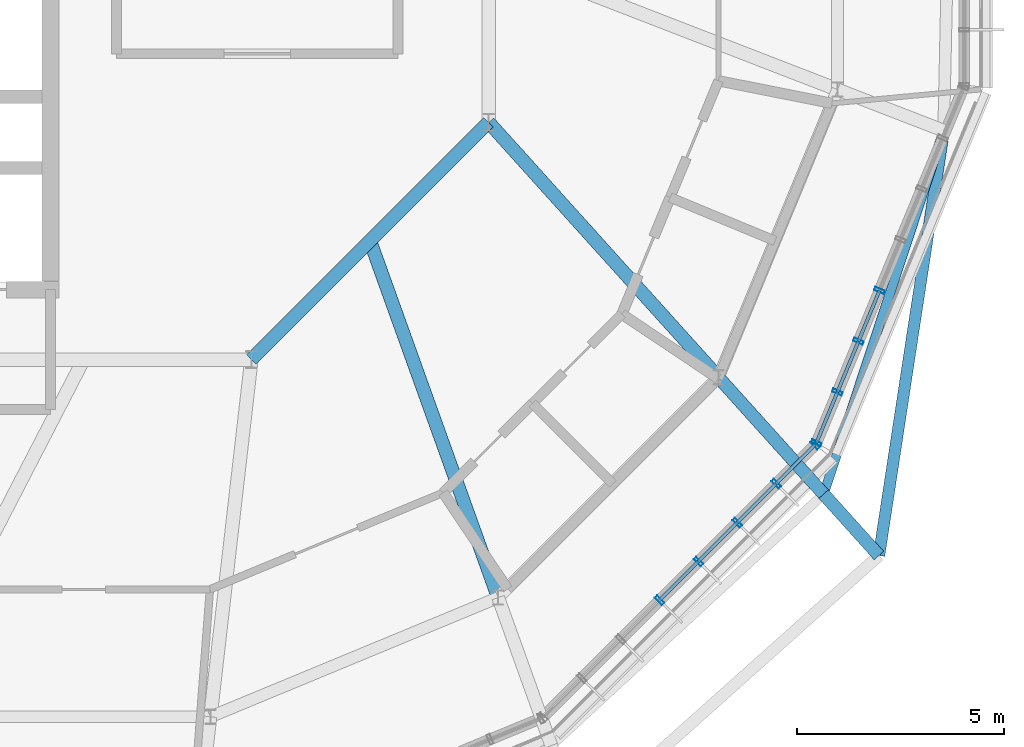
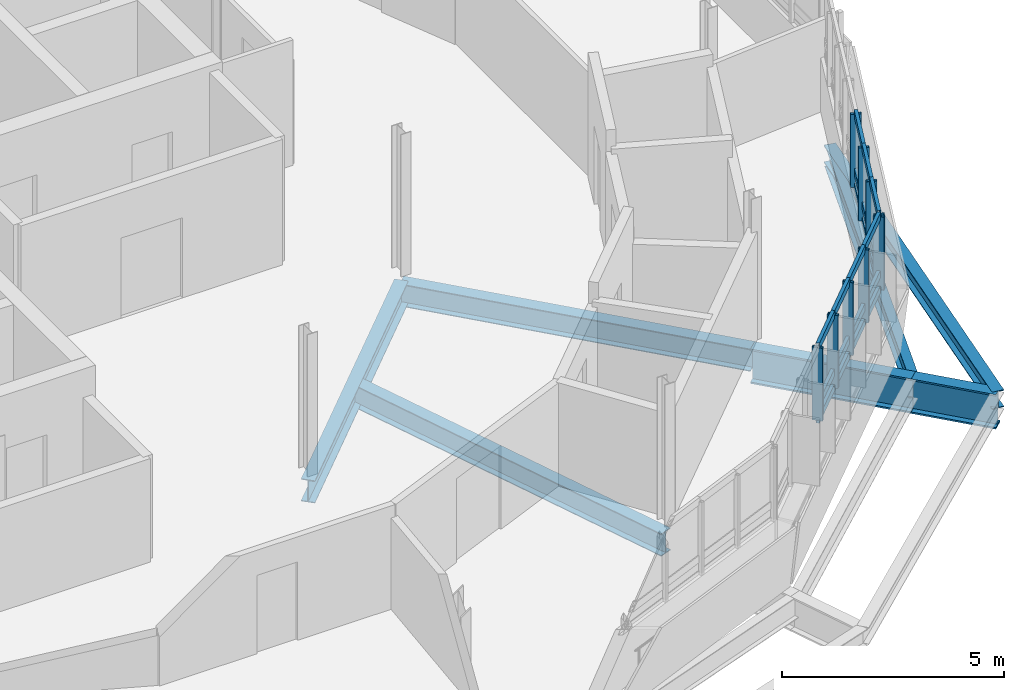
# One storey, part 13 of 31: 30 members, 7 beams, 2 elements without a shape of their own.
"""IFC4 building model written with IfcOpenShell, lengths in metres."""

import ifcopenshell
import ifcopenshell.guid

model = None  # the IFC model being written
_history = None  # IfcOwnerHistory: only IFC2X3 demands one
_inside = {}  # id of a spatial element -> (the spatial element, [elements in it])
_under = {}  # id of a project, library or spatial element -> (it, [spatial elements below it])
_declared = {}  # id of a project -> (the project, [libraries it declares])
_typed = {}  # id of a type object -> (the type object, [elements of that type])
_made_of = {}  # id of a material, layer set ... -> (it, [elements and type objects made of it])


def new_model(schema):
    """Start an empty IFC model of exactly this schema.

    Asked for "IFC4X3", IfcOpenShell would pick the latest addendum, in which some entities
    have other attributes; the version numbers below select the first issue.
    IFC2X3 requires an IfcOwnerHistory on every rooted entity: one is made here for all.
    """
    global model, _history
    if schema == "IFC4X3":
        model = ifcopenshell.file(schema_version=(4, 3, 0, 0))
    else:
        model = ifcopenshell.file(schema=schema)
    _inside.clear()
    _under.clear()
    _declared.clear()
    _typed.clear()
    _made_of.clear()
    _history = None
    if model.schema == "IFC2X3":
        org = make("IfcOrganization", Name="unknown")
        user = make(
            "IfcPersonAndOrganization",
            ThePerson=make("IfcPerson", FamilyName="unknown"),
            TheOrganization=org,
        )
        app = make(
            "IfcApplication",
            ApplicationDeveloper=org,
            Version="unknown",
            ApplicationFullName="unknown",
            ApplicationIdentifier="unknown",
        )
        _history = make(
            "IfcOwnerHistory",
            OwningUser=user,
            OwningApplication=app,
            ChangeAction="ADDED",
            CreationDate=0,
        )
    return model


def make(cls, **values):
    """One entity of the class cls with the attributes given. An attribute that is None is left unset."""
    return model.create_entity(
        cls, **{name: value for name, value in values.items() if value is not None}
    )


def rooted(cls, **values):
    """An entity with a GlobalId (a new one), such as an element, a storey or a relation."""
    return make(cls, GlobalId=ifcopenshell.guid.new(), OwnerHistory=_history, **values)


def si_unit(unit_type, name, prefix=None):
    """IfcSIUnit, for example si_unit("LENGTHUNIT", "METRE", prefix="MILLI")."""
    return make("IfcSIUnit", UnitType=unit_type, Prefix=prefix, Name=name)


def derived_unit(unit_type, elements):
    """IfcDerivedUnit: a product of units, each with its exponent."""
    return make(
        "IfcDerivedUnit",
        Elements=[
            make("IfcDerivedUnitElement", Unit=unit, Exponent=power)
            for unit, power in elements
        ],
        UnitType=unit_type,
    )


def assignment(units):
    """IfcUnitAssignment: the units of a project."""
    return None if units is None else make("IfcUnitAssignment", Units=units)


def point(xyz):
    """IfcCartesianPoint."""
    return None if xyz is None else make("IfcCartesianPoint", Coordinates=xyz)


def direction(xyz):
    """IfcDirection."""
    return None if xyz is None else make("IfcDirection", DirectionRatios=xyz)


def frame(location, z_axis=None, x_axis=None):
    """IfcAxis2Placement3D, a coordinate frame: its origin and axes. An axis left out is left unset."""
    return make(
        "IfcAxis2Placement3D",
        Location=point(location),
        Axis=direction(z_axis),
        RefDirection=direction(x_axis),
    )


def frame_2d(location, x_axis=None):
    """IfcAxis2Placement2D, a coordinate frame in the plane: its origin and x axis."""
    return make(
        "IfcAxis2Placement2D", Location=point(location), RefDirection=direction(x_axis)
    )


def origin():
    """The frame at (0, 0, 0) with its axes left unset."""
    return frame((0.0, 0.0, 0.0))


def origin_2d():
    """The frame at (0, 0) in the plane with its x axis left unset."""
    return frame_2d((0.0, 0.0))


def place(relative_to, where):
    """IfcLocalPlacement: puts the frame where relative to a parent placement (None: the world)."""
    return make(
        "IfcLocalPlacement", PlacementRelTo=relative_to, RelativePlacement=where
    )


def context(
    kind, dimensions, precision=None, world=None, true_north=None, identifier=None
):
    """IfcGeometricRepresentationContext, for example the 3D "Model" context."""
    return make(
        "IfcGeometricRepresentationContext",
        ContextIdentifier=identifier,
        ContextType=kind,
        CoordinateSpaceDimension=dimensions,
        Precision=precision,
        WorldCoordinateSystem=world,
        TrueNorth=true_north,
    )


def subcontext(parent, identifier, kind, view, scale=None):
    """IfcGeometricRepresentationSubContext, for example "Body" below "Model"."""
    return make(
        "IfcGeometricRepresentationSubContext",
        ContextIdentifier=identifier,
        ContextType=kind,
        ParentContext=parent,
        TargetScale=scale,
        TargetView=view,
    )


def project(units=None, contexts=None):
    """IfcProject with its units and contexts."""
    return rooted(
        "IfcProject",
        Name="project",
        RepresentationContexts=contexts,
        UnitsInContext=assignment(units),
    )


def spatial(cls, under=None, at=None, **own):
    """A site, building, storey or space (cls), placed at a placement, below another one or the project."""
    s = rooted(cls, ObjectPlacement=at, **own)
    if under is not None:
        _under.setdefault(under.id(), (under, []))[1].append(s)
    return s


def profile(cls, at=None, kind="AREA", **sizes):
    """A parametric profile (cls). Its sizes go by their IFC names, for example OverallWidth=200.0."""
    return make(cls, ProfileType=kind, Position=at, **sizes)


def hollow_rectangle(**sizes):
    """IfcRectangleHollowProfileDef."""
    return profile("IfcRectangleHollowProfileDef", **sizes)


def i_section(**sizes):
    """IfcIShapeProfileDef."""
    return profile("IfcIShapeProfileDef", **sizes)


def extrude(swept, where, along, depth):
    """IfcExtrudedAreaSolid: the profile swept, set in the frame where, extruded along a direction by depth."""
    return make(
        "IfcExtrudedAreaSolid",
        SweptArea=swept,
        Position=where,
        ExtrudedDirection=direction(along),
        Depth=depth,
    )


def shape(context_of_items, identifier, shape_type, items):
    """IfcShapeRepresentation: the items that make up one representation, for example the "Body"."""
    return make(
        "IfcShapeRepresentation",
        ContextOfItems=context_of_items,
        RepresentationIdentifier=identifier,
        RepresentationType=shape_type,
        Items=items,
    )


def material(Name=None, Category=None):
    """IfcMaterial."""
    return make("IfcMaterial", Name=Name, Category=Category)


def layer(
    of_material, thickness, ventilated=None, Name=None, Category=None, Priority=None
):
    """IfcMaterialLayer: one layer of a wall or slab, of a material (None: an air gap)."""
    return make(
        "IfcMaterialLayer",
        Material=of_material,
        LayerThickness=thickness,
        IsVentilated=ventilated,
        Name=Name,
        Category=Category,
        Priority=Priority,
    )


def layer_set(layers, Name=None):
    """IfcMaterialLayerSet."""
    return make("IfcMaterialLayerSet", MaterialLayers=layers, LayerSetName=Name)


def material_profile(
    of_material, cross_section, Name=None, Category=None, Priority=None
):
    """IfcMaterialProfile: a cross section and its material."""
    return make(
        "IfcMaterialProfile",
        Name=Name,
        Material=of_material,
        Profile=cross_section,
        Priority=Priority,
        Category=Category,
    )


def profile_set(profiles, Name=None, composite=None):
    """IfcMaterialProfileSet."""
    return make(
        "IfcMaterialProfileSet",
        Name=Name,
        MaterialProfiles=profiles,
        CompositeProfile=composite,
    )


def made_of(thing, what):
    """Note that an element or type object is made of a material, layer set ...; save() writes the relation."""
    if what is not None:
        _made_of.setdefault(what.id(), (what, []))[1].append(thing)
    return thing


def type_object(cls, material=None, **own):
    """A type object (cls), such as IfcWallType, which elements share."""
    return made_of(rooted(cls, **own), material)


def element(
    cls,
    number,
    at=None,
    inside=None,
    cuts=None,
    type_object=None,
    material=None,
    context=None,
    identifier="Body",
    shape_type=None,
    held_by="IfcProductDefinitionShape",
    body=None,
    shapes=None,
    **own,
):
    """One element of the class cls, such as IfcWall. Its Tag is "e" and its number.

    at: its placement. inside: the storey or other place that contains it. cuts: it is an
    opening in that element (IfcRelVoidsElement). A single representation is given by context,
    identifier, shape_type and body (its items); several are given by shapes. held_by: the class
    of the entity that holds the representations. save() writes the other relations.
    """
    e = rooted(cls, Tag="e%d" % number, ObjectPlacement=at, **own)
    if body is not None:
        shapes = [shape(context, identifier, shape_type, body)]
    if shapes is not None:
        e.Representation = make(held_by, Representations=shapes)
    if inside is not None:
        _inside.setdefault(inside.id(), (inside, []))[1].append(e)
    if cuts is not None:
        rooted(
            "IfcRelVoidsElement", RelatingBuildingElement=cuts, RelatedOpeningElement=e
        )
    if type_object is not None:
        _typed.setdefault(type_object.id(), (type_object, []))[1].append(e)
    return made_of(e, material)


def aggregate(whole, parts):
    """IfcRelAggregates: a whole, such as a stair, and the parts it consists of."""
    return rooted("IfcRelAggregates", RelatingObject=whole, RelatedObjects=parts)


def save(model, path):
    """Write the relations noted so far, then the file.

    IfcRelAggregates (storeys below a building ...), IfcRelContainedInSpatialStructure (elements
    in a storey), IfcRelDefinesByType, IfcRelAssociatesMaterial and IfcRelDeclares: one each for
    every whole, place, type object, material and project.
    """
    for whole, parts in _under.values():
        aggregate(whole, parts)
    for where, things in _inside.values():
        rooted(
            "IfcRelContainedInSpatialStructure",
            RelatedElements=things,
            RelatingStructure=where,
        )
    for kind, things in _typed.values():
        rooted("IfcRelDefinesByType", RelatedObjects=things, RelatingType=kind)
    for what, things in _made_of.values():
        rooted("IfcRelAssociatesMaterial", RelatedObjects=things, RelatingMaterial=what)
    for by, libraries in _declared.values():
        rooted("IfcRelDeclares", RelatingContext=by, RelatedDefinitions=libraries)
    model.write(path)


model = new_model("IFC4")

# Units and contexts
model_context = context("Model", 3, precision=1e-05, world=origin(), true_north=direction((0.0, 1.0)))
body_context = subcontext(model_context, "Body", "Model", "MODEL_VIEW")
ifc_project = project(units=[si_unit("LENGTHUNIT", "METRE"), si_unit("AREAUNIT", "SQUARE_METRE"), si_unit("VOLUMEUNIT", "CUBIC_METRE"), si_unit("PLANEANGLEUNIT", "RADIAN"), si_unit("MASSUNIT", "GRAM", prefix="KILO"), derived_unit("THERMALTRANSMITTANCEUNIT", [(si_unit("MASSUNIT", "GRAM", prefix="KILO"), 1), (si_unit("TIMEUNIT", "SECOND"), -3), (si_unit("THERMODYNAMICTEMPERATUREUNIT", "KELVIN"), -1)])], contexts=[model_context])

# Site, building, storey
site_placement = place(None, origin())
site = spatial("IfcSite", under=ifc_project, at=site_placement, CompositionType="ELEMENT")
building_placement = place(site_placement, origin())
building = spatial("IfcBuilding", under=site, at=building_placement, Name="Makaiwela Harbour Ferry Terminal", CompositionType="ELEMENT")
storey_placement = place(building_placement, frame((0.0, 0.0, 21.60009765625)))
storey = spatial("IfcBuildingStorey", under=building, at=storey_placement, Name="L05", CompositionType="ELEMENT", Elevation=21.60009765625)

# Curtain wall, members
ifc_material_1 = material(Name="Marine anodised aluminium 6063-T6", Category="aluminium")
ifc_layer = layer(ifc_material_1, 0.199951171875)
ifc_layer_set = layer_set([ifc_layer], Name="Marine anodised aluminium 6063-T6")
curtain_wall_type = type_object("IfcCurtainWallType", Name="ENV-CW-07", PredefinedType="USERDEFINED", material=ifc_layer_set)
curtain_wall_1_placement = place(storey_placement, origin())
curtain_wall_1 = element("IfcCurtainWall", 1, at=curtain_wall_1_placement, inside=storey, type_object=curtain_wall_type, Name="Unitised Curtain Wall CWA-069", ObjectType="UNITIZED CURTAIN WALL", PredefinedType="USERDEFINED")
ifc_material_profile_1 = material_profile(ifc_material_1, hollow_rectangle(XDim=0.0849609375, YDim=0.25, WallThickness=0.0048828125, at=origin_2d()), Name="CWM-250X85")
ifc_profile_set_1 = profile_set([ifc_material_profile_1], Name="Marine anodised aluminium 6063-T6")
member_type_1 = type_object("IfcMemberType", Name="CW-MUL-250", PredefinedType="MULLION", material=ifc_profile_set_1)
member_1_placement = place(storey_placement, frame((51.724609375, 51.985595703125, 1.47998046875), z_axis=(0.0, 0.0, 1.0), x_axis=(0.707106781187, 0.707106781187, 0.0)))
member_1 = element("IfcMember", 2, at=member_1_placement, type_object=member_type_1, Name="Curtain Wall Mullion CWA-069-4", PredefinedType="MULLION", context=body_context, shape_type="SweptSolid", body=[
    extrude(hollow_rectangle(XDim=0.0849609375, YDim=0.25, WallThickness=0.0048828125, at=origin_2d()), origin(), (0.0, 0.0, 1.0), 2.0),
])
member_2_placement = place(storey_placement, frame((52.664306640625, 52.92529296875, 1.47998046875), z_axis=(0.0, 0.0, 1.0), x_axis=(0.707106781187, 0.707106781187, 0.0)))
member_2 = element("IfcMember", 3, at=member_2_placement, type_object=member_type_1, Name="Curtain Wall Mullion CWA-069-5", PredefinedType="MULLION", context=body_context, shape_type="SweptSolid", body=[
    extrude(hollow_rectangle(XDim=0.0849609375, YDim=0.25, WallThickness=0.0048828125, at=origin_2d()), origin(), (0.0, 0.0, 1.0), 2.0),
])
member_3_placement = place(storey_placement, frame((53.604248046875, 53.865234375, 1.47998046875), z_axis=(0.0, 0.0, 1.0), x_axis=(0.707106781187, 0.707106781187, 0.0)))
member_3 = element("IfcMember", 4, at=member_3_placement, type_object=member_type_1, Name="Curtain Wall Mullion CWA-069-6", PredefinedType="MULLION", context=body_context, shape_type="SweptSolid", body=[
    extrude(hollow_rectangle(XDim=0.0849609375, YDim=0.25, WallThickness=0.0048828125, at=origin_2d()), origin(), (0.0, 0.0, 1.0), 2.0),
])
member_4_placement = place(storey_placement, frame((54.544189453125, 54.80517578125, 1.47998046875), z_axis=(0.0, 0.0, 1.0), x_axis=(0.707106781187, 0.707106781187, 0.0)))
member_4 = element("IfcMember", 5, at=member_4_placement, type_object=member_type_1, Name="Curtain Wall Mullion CWA-069-7", PredefinedType="MULLION", context=body_context, shape_type="SweptSolid", body=[
    extrude(hollow_rectangle(XDim=0.0849609375, YDim=0.25, WallThickness=0.0048828125, at=origin_2d()), origin(), (0.0, 0.0, 1.0), 2.0),
])
member_5_placement = place(storey_placement, frame((55.484130859375, 55.7451171875, 1.47998046875), z_axis=(0.0, 0.0, 1.0), x_axis=(0.707106781187, 0.707106781187, 0.0)))
member_5 = element("IfcMember", 6, at=member_5_placement, type_object=member_type_1, Name="Curtain Wall Mullion CWA-069-8", PredefinedType="MULLION", context=body_context, shape_type="SweptSolid", body=[
    extrude(hollow_rectangle(XDim=0.0849609375, YDim=0.25, WallThickness=0.0048828125, at=origin_2d()), origin(), (0.0, 0.0, 1.0), 2.0),
])

curtain_wall_2_placement = place(storey_placement, origin())
curtain_wall_2 = element("IfcCurtainWall", 7, at=curtain_wall_2_placement, inside=storey, type_object=curtain_wall_type, Name="Unitised Curtain Wall CWA-070", ObjectType="UNITIZED CURTAIN WALL", PredefinedType="USERDEFINED")
member_6_placement = place(storey_placement, frame((55.516845703125, 55.7939453125, 1.47998046875), z_axis=(0.0, 0.0, 1.0), x_axis=(0.382683432365, 0.923879532511, 0.0)))
member_6 = element("IfcMember", 8, at=member_6_placement, type_object=member_type_1, Name="Curtain Wall Mullion CWA-070-1", PredefinedType="MULLION", context=body_context, shape_type="SweptSolid", body=[
    extrude(hollow_rectangle(XDim=0.0849609375, YDim=0.25, WallThickness=0.0048828125, at=origin_2d()), origin(), (0.0, 0.0, 1.0), 2.0),
])
member_7_placement = place(storey_placement, frame((56.025390625, 57.02197265625, 1.47998046875), z_axis=(0.0, 0.0, 1.0), x_axis=(0.382683432365, 0.923879532511, 0.0)))
member_7 = element("IfcMember", 9, at=member_7_placement, type_object=member_type_1, Name="Curtain Wall Mullion CWA-070-2", PredefinedType="MULLION", context=body_context, shape_type="SweptSolid", body=[
    extrude(hollow_rectangle(XDim=0.0849609375, YDim=0.25, WallThickness=0.0048828125, at=origin_2d()), origin(), (0.0, 0.0, 1.0), 2.0),
])
member_8_placement = place(storey_placement, frame((56.5341796875, 58.25, 1.47998046875), z_axis=(0.0, 0.0, 1.0), x_axis=(0.382683432365, 0.923879532511, 0.0)))
member_8 = element("IfcMember", 10, at=member_8_placement, type_object=member_type_1, Name="Curtain Wall Mullion CWA-070-3", PredefinedType="MULLION", context=body_context, shape_type="SweptSolid", body=[
    extrude(hollow_rectangle(XDim=0.0849609375, YDim=0.25, WallThickness=0.0048828125, at=origin_2d()), origin(), (0.0, 0.0, 1.0), 2.0),
])
member_9_placement = place(storey_placement, frame((57.042724609375, 59.47802734375, 1.47998046875), z_axis=(0.0, 0.0, 1.0), x_axis=(0.382683432365, 0.923879532511, 0.0)))
member_9 = element("IfcMember", 11, at=member_9_placement, type_object=member_type_1, Name="Curtain Wall Mullion CWA-070-4", PredefinedType="MULLION", context=body_context, shape_type="SweptSolid", body=[
    extrude(hollow_rectangle(XDim=0.0849609375, YDim=0.25, WallThickness=0.0048828125, at=origin_2d()), origin(), (0.0, 0.0, 1.0), 2.0),
])

# Member
ifc_material_profile_2 = material_profile(ifc_material_1, hollow_rectangle(XDim=0.0849609375, YDim=0.199951171875, WallThickness=0.0048828125, at=origin_2d()), Name="CWT-200X85")
ifc_profile_set_2 = profile_set([ifc_material_profile_2], Name="Marine anodised aluminium 6063-T6")
member_type_2 = type_object("IfcMemberType", Name="CW-TRN-200", PredefinedType="USERDEFINED", material=ifc_profile_set_2)
member_10_placement = place(storey_placement, frame((51.724609375, 51.985595703125, 1.47998046875), z_axis=(0.707106781187, 0.707106781187, 0.0), x_axis=(-0.707106781187, 0.707106781187, 0.0)))
member_10 = element("IfcMember", 12, at=member_10_placement, type_object=member_type_2, Name="Curtain Wall Transom CWA-069-4-1", ObjectType="TRANSOM", PredefinedType="USERDEFINED", context=body_context, shape_type="SweptSolid", body=[
    extrude(hollow_rectangle(XDim=0.0849609375, YDim=0.199951171875, WallThickness=0.0048828125, at=origin_2d()), origin(), (0.0, 0.0, 1.0), 1.328857421875),
])

member_11_placement = place(storey_placement, frame((51.724609375, 51.985595703125, 1.89990234375), z_axis=(0.707106781187, 0.707106781187, 0.0), x_axis=(-0.707106781187, 0.707106781187, 0.0)))
member_11 = element("IfcMember", 13, at=member_11_placement, type_object=member_type_2, Name="Curtain Wall Transom CWA-069-4-2", ObjectType="TRANSOM", PredefinedType="USERDEFINED", context=body_context, shape_type="SweptSolid", body=[
    extrude(hollow_rectangle(XDim=0.0849609375, YDim=0.199951171875, WallThickness=0.0048828125, at=origin_2d()), origin(), (0.0, 0.0, 1.0), 1.328857421875),
])

member_12_placement = place(storey_placement, frame((51.724609375, 51.985595703125, 3.47998046875), z_axis=(0.707106781187, 0.707106781187, 0.0), x_axis=(-0.707106781187, 0.707106781187, 0.0)))
member_12 = element("IfcMember", 14, at=member_12_placement, type_object=member_type_2, Name="Curtain Wall Transom CWA-069-4-3", ObjectType="TRANSOM", PredefinedType="USERDEFINED", context=body_context, shape_type="SweptSolid", body=[
    extrude(hollow_rectangle(XDim=0.0849609375, YDim=0.199951171875, WallThickness=0.0048828125, at=origin_2d()), origin(), (0.0, 0.0, 1.0), 1.328857421875),
])

member_13_placement = place(storey_placement, frame((52.664306640625, 52.92529296875, 1.47998046875), z_axis=(0.707106781187, 0.707106781187, 0.0), x_axis=(-0.707106781187, 0.707106781187, 0.0)))
member_13 = element("IfcMember", 15, at=member_13_placement, type_object=member_type_2, Name="Curtain Wall Transom CWA-069-5-1", ObjectType="TRANSOM", PredefinedType="USERDEFINED", context=body_context, shape_type="SweptSolid", body=[
    extrude(hollow_rectangle(XDim=0.0849609375, YDim=0.199951171875, WallThickness=0.0048828125, at=origin_2d()), origin(), (0.0, 0.0, 1.0), 1.329345703125),
])

member_14_placement = place(storey_placement, frame((52.664306640625, 52.92529296875, 1.89990234375), z_axis=(0.707106781187, 0.707106781187, 0.0), x_axis=(-0.707106781187, 0.707106781187, 0.0)))
member_14 = element("IfcMember", 16, at=member_14_placement, type_object=member_type_2, Name="Curtain Wall Transom CWA-069-5-2", ObjectType="TRANSOM", PredefinedType="USERDEFINED", context=body_context, shape_type="SweptSolid", body=[
    extrude(hollow_rectangle(XDim=0.0849609375, YDim=0.199951171875, WallThickness=0.0048828125, at=origin_2d()), origin(), (0.0, 0.0, 1.0), 1.329345703125),
])

member_15_placement = place(storey_placement, frame((52.664306640625, 52.92529296875, 3.47998046875), z_axis=(0.707106781187, 0.707106781187, 0.0), x_axis=(-0.707106781187, 0.707106781187, 0.0)))
member_15 = element("IfcMember", 17, at=member_15_placement, type_object=member_type_2, Name="Curtain Wall Transom CWA-069-5-3", ObjectType="TRANSOM", PredefinedType="USERDEFINED", context=body_context, shape_type="SweptSolid", body=[
    extrude(hollow_rectangle(XDim=0.0849609375, YDim=0.199951171875, WallThickness=0.0048828125, at=origin_2d()), origin(), (0.0, 0.0, 1.0), 1.329345703125),
])

member_16_placement = place(storey_placement, frame((53.604248046875, 53.865234375, 1.47998046875), z_axis=(0.707106781187, 0.707106781187, 0.0), x_axis=(-0.707106781187, 0.707106781187, 0.0)))
member_16 = element("IfcMember", 18, at=member_16_placement, type_object=member_type_2, Name="Curtain Wall Transom CWA-069-6-1", ObjectType="TRANSOM", PredefinedType="USERDEFINED", context=body_context, shape_type="SweptSolid", body=[
    extrude(hollow_rectangle(XDim=0.0849609375, YDim=0.199951171875, WallThickness=0.0048828125, at=origin_2d()), origin(), (0.0, 0.0, 1.0), 1.329345703125),
])

member_17_placement = place(storey_placement, frame((53.604248046875, 53.865234375, 1.89990234375), z_axis=(0.707106781187, 0.707106781187, 0.0), x_axis=(-0.707106781187, 0.707106781187, 0.0)))
member_17 = element("IfcMember", 19, at=member_17_placement, type_object=member_type_2, Name="Curtain Wall Transom CWA-069-6-2", ObjectType="TRANSOM", PredefinedType="USERDEFINED", context=body_context, shape_type="SweptSolid", body=[
    extrude(hollow_rectangle(XDim=0.0849609375, YDim=0.199951171875, WallThickness=0.0048828125, at=origin_2d()), origin(), (0.0, 0.0, 1.0), 1.329345703125),
])

member_18_placement = place(storey_placement, frame((53.604248046875, 53.865234375, 3.47998046875), z_axis=(0.707106781187, 0.707106781187, 0.0), x_axis=(-0.707106781187, 0.707106781187, 0.0)))
member_18 = element("IfcMember", 20, at=member_18_placement, type_object=member_type_2, Name="Curtain Wall Transom CWA-069-6-3", ObjectType="TRANSOM", PredefinedType="USERDEFINED", context=body_context, shape_type="SweptSolid", body=[
    extrude(hollow_rectangle(XDim=0.0849609375, YDim=0.199951171875, WallThickness=0.0048828125, at=origin_2d()), origin(), (0.0, 0.0, 1.0), 1.329345703125),
])

member_19_placement = place(storey_placement, frame((54.544189453125, 54.80517578125, 1.47998046875), z_axis=(0.707106781187, 0.707106781187, 0.0), x_axis=(-0.707106781187, 0.707106781187, 0.0)))
member_19 = element("IfcMember", 21, at=member_19_placement, type_object=member_type_2, Name="Curtain Wall Transom CWA-069-7-1", ObjectType="TRANSOM", PredefinedType="USERDEFINED", context=body_context, shape_type="SweptSolid", body=[
    extrude(hollow_rectangle(XDim=0.0849609375, YDim=0.199951171875, WallThickness=0.0048828125, at=origin_2d()), origin(), (0.0, 0.0, 1.0), 1.329345703125),
])

member_20_placement = place(storey_placement, frame((54.544189453125, 54.80517578125, 1.89990234375), z_axis=(0.707106781187, 0.707106781187, 0.0), x_axis=(-0.707106781187, 0.707106781187, 0.0)))
member_20 = element("IfcMember", 22, at=member_20_placement, type_object=member_type_2, Name="Curtain Wall Transom CWA-069-7-2", ObjectType="TRANSOM", PredefinedType="USERDEFINED", context=body_context, shape_type="SweptSolid", body=[
    extrude(hollow_rectangle(XDim=0.0849609375, YDim=0.199951171875, WallThickness=0.0048828125, at=origin_2d()), origin(), (0.0, 0.0, 1.0), 1.329345703125),
])

member_21_placement = place(storey_placement, frame((54.544189453125, 54.80517578125, 3.47998046875), z_axis=(0.707106781187, 0.707106781187, 0.0), x_axis=(-0.707106781187, 0.707106781187, 0.0)))
member_21 = element("IfcMember", 23, at=member_21_placement, type_object=member_type_2, Name="Curtain Wall Transom CWA-069-7-3", ObjectType="TRANSOM", PredefinedType="USERDEFINED", context=body_context, shape_type="SweptSolid", body=[
    extrude(hollow_rectangle(XDim=0.0849609375, YDim=0.199951171875, WallThickness=0.0048828125, at=origin_2d()), origin(), (0.0, 0.0, 1.0), 1.329345703125),
])

aggregate(curtain_wall_1, [member_1, member_2, member_3, member_4, member_5, member_10, member_11, member_12, member_13, member_14, member_15, member_16, member_17, member_18, member_19, member_20, member_21])

member_22_placement = place(storey_placement, frame((55.516845703125, 55.7939453125, 1.47998046875), z_axis=(0.382605946964, 0.923911624209, 0.0), x_axis=(-0.923911624209, 0.382605946964, 0.0)))
member_22 = element("IfcMember", 24, at=member_22_placement, type_object=member_type_2, Name="Curtain Wall Transom CWA-070-1-1", ObjectType="TRANSOM", PredefinedType="USERDEFINED", context=body_context, shape_type="SweptSolid", body=[
    extrude(hollow_rectangle(XDim=0.0849609375, YDim=0.199951171875, WallThickness=0.0048828125, at=origin_2d()), origin(), (0.0, 0.0, 1.0), 1.3291015625),
])

member_23_placement = place(storey_placement, frame((55.516845703125, 55.7939453125, 1.89990234375), z_axis=(0.382605946964, 0.923911624209, 0.0), x_axis=(-0.923911624209, 0.382605946964, 0.0)))
member_23 = element("IfcMember", 25, at=member_23_placement, type_object=member_type_2, Name="Curtain Wall Transom CWA-070-1-2", ObjectType="TRANSOM", PredefinedType="USERDEFINED", context=body_context, shape_type="SweptSolid", body=[
    extrude(hollow_rectangle(XDim=0.0849609375, YDim=0.199951171875, WallThickness=0.0048828125, at=origin_2d()), origin(), (0.0, 0.0, 1.0), 1.3291015625),
])

member_24_placement = place(storey_placement, frame((55.516845703125, 55.7939453125, 3.47998046875), z_axis=(0.382605946964, 0.923911624209, 0.0), x_axis=(-0.923911624209, 0.382605946964, 0.0)))
member_24 = element("IfcMember", 26, at=member_24_placement, type_object=member_type_2, Name="Curtain Wall Transom CWA-070-1-3", ObjectType="TRANSOM", PredefinedType="USERDEFINED", context=body_context, shape_type="SweptSolid", body=[
    extrude(hollow_rectangle(XDim=0.0849609375, YDim=0.199951171875, WallThickness=0.0048828125, at=origin_2d()), origin(), (0.0, 0.0, 1.0), 1.3291015625),
])

member_25_placement = place(storey_placement, frame((56.025390625, 57.02197265625, 1.47998046875), z_axis=(0.382762722221, 0.923846685591, 0.0), x_axis=(-0.923846685591, 0.382762722221, 0.0)))
member_25 = element("IfcMember", 27, at=member_25_placement, type_object=member_type_2, Name="Curtain Wall Transom CWA-070-2-1", ObjectType="TRANSOM", PredefinedType="USERDEFINED", context=body_context, shape_type="SweptSolid", body=[
    extrude(hollow_rectangle(XDim=0.0849609375, YDim=0.199951171875, WallThickness=0.0048828125, at=origin_2d()), origin(), (0.0, 0.0, 1.0), 1.329345703125),
])

member_26_placement = place(storey_placement, frame((56.025390625, 57.02197265625, 1.89990234375), z_axis=(0.382762722221, 0.923846685591, 0.0), x_axis=(-0.923846685591, 0.382762722221, 0.0)))
member_26 = element("IfcMember", 28, at=member_26_placement, type_object=member_type_2, Name="Curtain Wall Transom CWA-070-2-2", ObjectType="TRANSOM", PredefinedType="USERDEFINED", context=body_context, shape_type="SweptSolid", body=[
    extrude(hollow_rectangle(XDim=0.0849609375, YDim=0.199951171875, WallThickness=0.0048828125, at=origin_2d()), origin(), (0.0, 0.0, 1.0), 1.329345703125),
])

member_27_placement = place(storey_placement, frame((56.025390625, 57.02197265625, 3.47998046875), z_axis=(0.382762722221, 0.923846685591, 0.0), x_axis=(-0.923846685591, 0.382762722221, 0.0)))
member_27 = element("IfcMember", 29, at=member_27_placement, type_object=member_type_2, Name="Curtain Wall Transom CWA-070-2-3", ObjectType="TRANSOM", PredefinedType="USERDEFINED", context=body_context, shape_type="SweptSolid", body=[
    extrude(hollow_rectangle(XDim=0.0849609375, YDim=0.199951171875, WallThickness=0.0048828125, at=origin_2d()), origin(), (0.0, 0.0, 1.0), 1.329345703125),
])

member_28_placement = place(storey_placement, frame((56.5341796875, 58.25, 1.47998046875), z_axis=(0.382605946964, 0.923911624209, 0.0), x_axis=(-0.923911624209, 0.382605946964, 0.0)))
member_28 = element("IfcMember", 30, at=member_28_placement, type_object=member_type_2, Name="Curtain Wall Transom CWA-070-3-1", ObjectType="TRANSOM", PredefinedType="USERDEFINED", context=body_context, shape_type="SweptSolid", body=[
    extrude(hollow_rectangle(XDim=0.0849609375, YDim=0.199951171875, WallThickness=0.0048828125, at=origin_2d()), origin(), (0.0, 0.0, 1.0), 1.3291015625),
])

member_29_placement = place(storey_placement, frame((56.5341796875, 58.25, 1.89990234375), z_axis=(0.382605946964, 0.923911624209, 0.0), x_axis=(-0.923911624209, 0.382605946964, 0.0)))
member_29 = element("IfcMember", 31, at=member_29_placement, type_object=member_type_2, Name="Curtain Wall Transom CWA-070-3-2", ObjectType="TRANSOM", PredefinedType="USERDEFINED", context=body_context, shape_type="SweptSolid", body=[
    extrude(hollow_rectangle(XDim=0.0849609375, YDim=0.199951171875, WallThickness=0.0048828125, at=origin_2d()), origin(), (0.0, 0.0, 1.0), 1.3291015625),
])

member_30_placement = place(storey_placement, frame((56.5341796875, 58.25, 3.47998046875), z_axis=(0.382605946964, 0.923911624209, 0.0), x_axis=(-0.923911624209, 0.382605946964, 0.0)))
member_30 = element("IfcMember", 32, at=member_30_placement, type_object=member_type_2, Name="Curtain Wall Transom CWA-070-3-3", ObjectType="TRANSOM", PredefinedType="USERDEFINED", context=body_context, shape_type="SweptSolid", body=[
    extrude(hollow_rectangle(XDim=0.0849609375, YDim=0.199951171875, WallThickness=0.0048828125, at=origin_2d()), origin(), (0.0, 0.0, 1.0), 1.3291015625),
])

aggregate(curtain_wall_2, [member_6, member_7, member_8, member_9, member_22, member_23, member_24, member_25, member_26, member_27, member_28, member_29, member_30])

# Beams
ifc_material_2 = material(Name="Steel ASTM A992 Grade 50", Category="steel")
ifc_material_profile_3 = material_profile(ifc_material_2, i_section(OverallWidth=0.324951171875, OverallDepth=0.615966796875, WebThickness=0.013916015625, FlangeThickness=0.021484375, at=origin_2d()), Name="W24X117")
ifc_profile_set_3 = profile_set([ifc_material_profile_3], Name="Steel ASTM A992 Grade 50")
beam_type_1 = type_object("IfcBeamType", Name="STR-GRD-W24X117", PredefinedType="USERDEFINED", material=ifc_profile_set_3)
beam_1_placement = place(storey_placement, frame((41.8564453125, 57.806884765625, -0.55810546875), z_axis=(0.707091734601, 0.707121827452, 0.0), x_axis=(-0.707121827452, 0.707091734601, 0.0)))
element("IfcBeam", 33, at=beam_1_placement, inside=storey, type_object=beam_type_1, Name="Drum inner ring girder 505", ObjectType="GIRDER", PredefinedType="USERDEFINED", context=body_context, shape_type="SweptSolid", body=[
    extrude(i_section(OverallWidth=0.324951171875, OverallDepth=0.615966796875, WebThickness=0.013916015625, FlangeThickness=0.021484375, at=origin_2d()), origin(), (0.0, 0.0, 1.0), 8.11279296875),
])
beam_2_placement = place(storey_placement, frame((44.724853515625, 60.67529296875, -0.55810546875), z_axis=(0.338086262621, -0.941115125278, 0.0), x_axis=(0.941115125278, 0.338086262621, 0.0)))
element("IfcBeam", 34, at=beam_2_placement, inside=storey, type_object=beam_type_1, Name="Drum radial girder 571", ObjectType="GIRDER", PredefinedType="USERDEFINED", context=body_context, shape_type="SweptSolid", body=[
    extrude(i_section(OverallWidth=0.324951171875, OverallDepth=0.615966796875, WebThickness=0.013916015625, FlangeThickness=0.021484375, at=origin_2d()), origin(), (0.0, 0.0, 1.0), 9.162353515625),
])
beam_3_placement = place(storey_placement, frame((47.593017578125, 63.543701171875, -0.55810546875), z_axis=(0.669284852474, -0.743005912661, 0.0), x_axis=(0.743005912661, 0.669284852474, 0.0)))
element("IfcBeam", 35, at=beam_3_placement, inside=storey, type_object=beam_type_1, Name="Drum radial girder 574", ObjectType="GIRDER", PredefinedType="USERDEFINED", context=body_context, shape_type="SweptSolid", body=[
    extrude(i_section(OverallWidth=0.324951171875, OverallDepth=0.615966796875, WebThickness=0.013916015625, FlangeThickness=0.021484375, at=origin_2d()), origin(), (0.0, 0.0, 1.0), 8.299072265625),
])
ifc_material_profile_4 = material_profile(ifc_material_2, i_section(OverallWidth=0.22900390625, OverallDepth=0.612060546875, WebThickness=0.011962890625, FlangeThickness=0.01953125, at=origin_2d()), Name="W24X84")
ifc_profile_set_4 = profile_set([ifc_material_profile_4], Name="Steel ASTM A992 Grade 50")
beam_type_2 = type_object("IfcBeamType", Name="STR-GRD-W24X84", PredefinedType="USERDEFINED", material=ifc_profile_set_4)
beam_4_placement = place(storey_placement, frame((55.690673828125, 54.55419921875, -0.55615234375), z_axis=(0.313670510813, 0.949531890273, 0.0), x_axis=(-0.949531890273, 0.313670510813, 0.0)))
element("IfcBeam", 36, at=beam_4_placement, inside=storey, type_object=beam_type_2, Name="Drum overhang tie girder 602", ObjectType="GIRDER", PredefinedType="USERDEFINED", context=body_context, shape_type="SweptSolid", body=[
    extrude(i_section(OverallWidth=0.22900390625, OverallDepth=0.612060546875, WebThickness=0.011962890625, FlangeThickness=0.01953125, at=origin_2d()), origin(), (0.0, 0.0, 1.0), 9.255126953125),
])
ifc_material_profile_5 = material_profile(ifc_material_2, i_section(OverallWidth=0.31005859375, OverallDepth=0.949951171875, WebThickness=0.0244140625, FlangeThickness=0.0439453125, at=origin_2d()), Name="W36X256")
ifc_profile_set_5 = profile_set([ifc_material_profile_5], Name="Steel ASTM A992 Grade 50")
beam_type_3 = type_object("IfcBeamType", Name="STR-GRD-W36X256", PredefinedType="USERDEFINED", material=ifc_profile_set_5)
beam_5_placement = place(storey_placement, frame((53.1474609375, 57.37744140625, -0.72509765625), z_axis=(0.669298341285, -0.742993761988, 0.0), x_axis=(0.742993761988, 0.669298341285, 0.0)))
element("IfcBeam", 37, at=beam_5_placement, inside=storey, type_object=beam_type_3, Name="Drum radial overhang 575", ObjectType="GIRDER", PredefinedType="USERDEFINED", context=body_context, shape_type="SweptSolid", body=[
    extrude(i_section(OverallWidth=0.31005859375, OverallDepth=0.949951171875, WebThickness=0.0244140625, FlangeThickness=0.0439453125, at=origin_2d()), origin(), (0.0, 0.0, 1.0), 3.7998046875),
])
beam_6_placement = place(storey_placement, frame((55.690673828125, 54.55419921875, -0.72509765625), z_axis=(0.669281634804, -0.743008811061, 0.0), x_axis=(0.743008811061, 0.669281634804, 0.0)))
element("IfcBeam", 38, at=beam_6_placement, inside=storey, type_object=beam_type_3, Name="Drum overhang radial girder 576", ObjectType="GIRDER", PredefinedType="USERDEFINED", context=body_context, shape_type="SweptSolid", body=[
    extrude(i_section(OverallWidth=0.31005859375, OverallDepth=0.949951171875, WebThickness=0.0244140625, FlangeThickness=0.0439453125, at=origin_2d()), origin(), (0.0, 0.0, 1.0), 2.0),
])
ifc_material_profile_6 = material_profile(ifc_material_2, i_section(OverallWidth=0.283935546875, OverallDepth=0.47607421875, WebThickness=0.014892578125, FlangeThickness=0.02392578125, at=origin_2d()), Name="W18X106")
ifc_profile_set_6 = profile_set([ifc_material_profile_6], Name="Steel ASTM A992 Grade 50")
beam_type_4 = type_object("IfcBeamType", Name="STR-SPN-W18X106", PredefinedType="SPANDREL", material=ifc_profile_set_6)
beam_7_placement = place(storey_placement, frame((57.029296875, 53.068115234375, -0.488037109375), z_axis=(0.1505353341, 0.988604629358, 0.0), x_axis=(-0.988604629358, 0.1505353341, 0.0)))
element("IfcBeam", 39, at=beam_7_placement, inside=storey, type_object=beam_type_4, Name="Drum perimeter spandrel 616", PredefinedType="SPANDREL", context=body_context, shape_type="SweptSolid", body=[
    extrude(i_section(OverallWidth=0.283935546875, OverallDepth=0.47607421875, WebThickness=0.014892578125, FlangeThickness=0.02392578125, at=origin_2d()), origin(), (0.0, 0.0, 1.0), 10.392578125),
])

save(model, "model.ifc")
